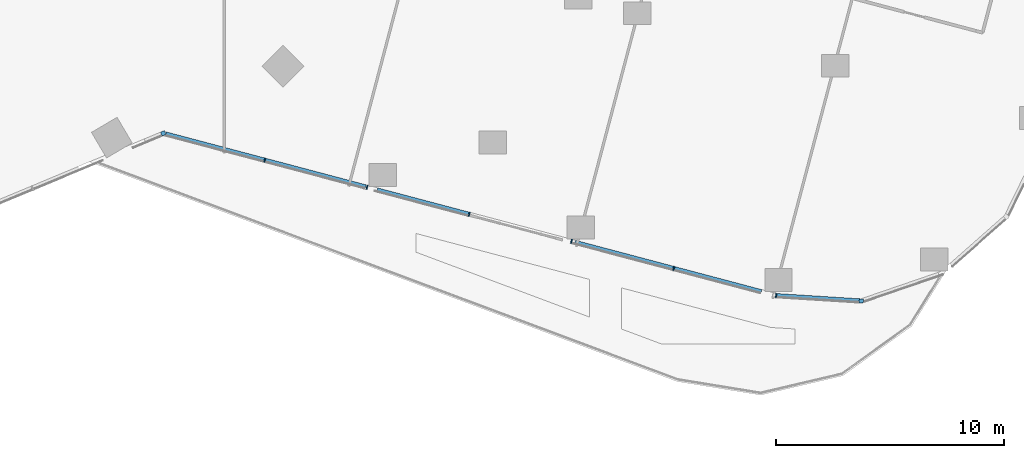
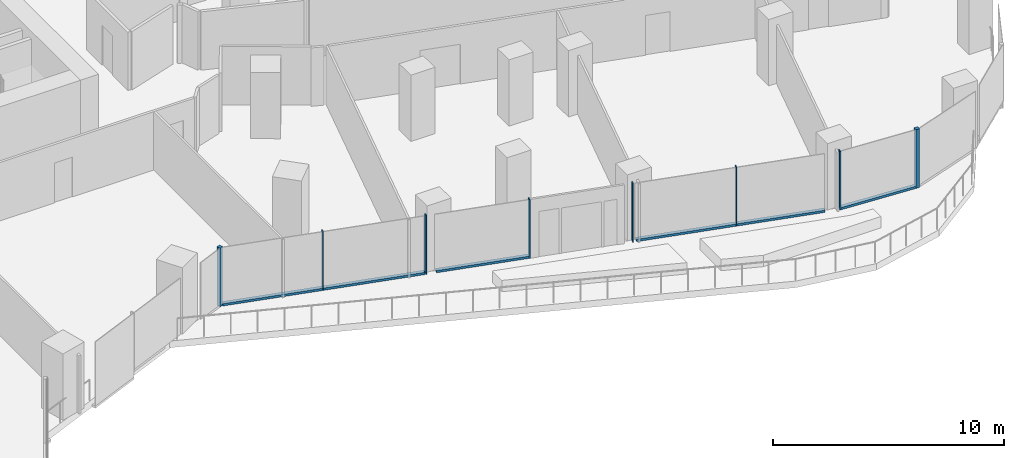
# One storey, part 7 of 34: 12 members, 3 elements without a shape of their own.
"""IFC4 building model written with IfcOpenShell, lengths in metres."""

from ifc_helpers import new_model, si_unit, direction, frame, origin, origin_2d, place, context, subcontext, project, spatial, rectangle, extrude, material, material_profile, profile_set, type_object, element, aggregate, save


model = new_model("IFC4")

# Units and contexts
model_context = context("Model", 3, precision=1e-05, world=origin(), true_north=direction((0.0, 1.0)))
body_context = subcontext(model_context, "Body", "Model", "MODEL_VIEW")
ifc_project = project(units=[si_unit("LENGTHUNIT", "METRE"), si_unit("AREAUNIT", "SQUARE_METRE"), si_unit("VOLUMEUNIT", "CUBIC_METRE"), si_unit("PLANEANGLEUNIT", "RADIAN"), si_unit("MASSUNIT", "GRAM", prefix="KILO")], contexts=[model_context])

# Site, building, storey
site_placement = place(None, origin())
site = spatial("IfcSite", under=ifc_project, at=site_placement, CompositionType="ELEMENT")
building_placement = place(site_placement, origin())
building = spatial("IfcBuilding", under=site, at=building_placement, Name="Orlundy Tower", CompositionType="ELEMENT")
storey_placement = place(building_placement, frame((0.0, 0.0, 102.199951171875)))
storey = spatial("IfcBuildingStorey", under=building, at=storey_placement, Name="L25", CompositionType="ELEMENT", Elevation=102.199951171875)

# Curtain wall, member
ifc_material_1 = material(Name="Aluminium bronze anodised", Category="aluminium")
curtain_wall_type = type_object("IfcCurtainWallType", Name="CW1 wall", PredefinedType="NOTDEFINED", material=ifc_material_1)
curtain_wall_1_placement = place(storey_placement, origin())
curtain_wall_1 = element("IfcCurtainWall", 1, at=curtain_wall_1_placement, inside=storey, type_object=curtain_wall_type, Name="CW1 run 01", PredefinedType="NOTDEFINED")
ifc_material_2 = material(Name="Aluminium bronze anodised", Category="aluminium")
ifc_material_profile_1 = material_profile(ifc_material_2, rectangle(XDim=0.179931640625, YDim=0.179931640625, at=origin_2d()), Name="CW1 corner post 180x180")
ifc_profile_set_1 = profile_set([ifc_material_profile_1], Name="Aluminium bronze anodised")
member_type_1 = type_object("IfcMemberType", Name="CW1 corner post 180x180", PredefinedType="MULLION", material=ifc_profile_set_1)
member_1_placement = place(storey_placement, frame((17.32861328125, -25.371826171875, 0.0), z_axis=(0.0, 0.0, 1.0), x_axis=(0.385377262048, -0.922759105019, 0.0)))
member_1 = element("IfcMember", 2, at=member_1_placement, type_object=member_type_1, Name="CW1 mullion 7", PredefinedType="MULLION", context=body_context, shape_type="SweptSolid", body=[
    extrude(rectangle(XDim=0.179931640625, YDim=0.179931640625, at=origin_2d()), origin(), (0.0, 0.0, 1.0), 3.10009765625),
])
aggregate(curtain_wall_1, [member_1])

curtain_wall_2_placement = place(storey_placement, origin())
curtain_wall_2 = element("IfcCurtainWall", 3, at=curtain_wall_2_placement, inside=storey, type_object=curtain_wall_type, Name="CW1 run 027", PredefinedType="NOTDEFINED")
member_2_placement = place(storey_placement, frame((47.892333984375, -32.712890625, 0.0), z_axis=(0.0, 0.0, 1.0), x_axis=(-0.06257980311, -0.998039963249, 0.0)))
member_2 = element("IfcMember", 4, at=member_2_placement, type_object=member_type_1, Name="CW1 mullion 68", PredefinedType="MULLION", context=body_context, shape_type="SweptSolid", body=[
    extrude(rectangle(XDim=0.179931640625, YDim=0.179931640625, at=origin_2d()), origin(), (0.0, 0.0, 1.0), 3.10009765625),
])

# Curtain wall, members
curtain_wall_3_placement = place(storey_placement, origin())
curtain_wall_3 = element("IfcCurtainWall", 5, at=curtain_wall_3_placement, inside=storey, type_object=curtain_wall_type, Name="CW1 run 00", PredefinedType="NOTDEFINED")
ifc_material_3 = material(Name="Aluminium bronze anodised", Category="aluminium")
ifc_material_profile_2 = material_profile(ifc_material_3, rectangle(XDim=0.179931640625, YDim=0.050048828125, at=origin_2d()), Name="CW1 mullion 50x180")
ifc_profile_set_2 = profile_set([ifc_material_profile_2], Name="Aluminium bronze anodised")
member_type_2 = type_object("IfcMemberType", Name="CW1 mullion 50x180", PredefinedType="MULLION", material=ifc_profile_set_2)
member_3_placement = place(storey_placement, frame((44.16552734375, -32.479248046875, 0.0), z_axis=(0.0, 0.0, 1.0), x_axis=(-0.160065696582, -0.987106363457, 0.0)))
member_3 = element("IfcMember", 6, at=member_3_placement, type_object=member_type_2, Name="CW1 mullion 1", PredefinedType="MULLION", context=body_context, shape_type="SweptSolid", body=[
    extrude(rectangle(XDim=0.179931640625, YDim=0.050048828125, at=origin_2d()), origin(), (0.0, 0.0, 1.0), 3.10009765625),
])
member_4_placement = place(storey_placement, frame((39.6806640625, -31.29150390625, 0.0), z_axis=(0.0, 0.0, 1.0), x_axis=(-0.256011270968, -0.966673796654, 0.0)))
member_4 = element("IfcMember", 7, at=member_4_placement, type_object=member_type_2, Name="CW1 mullion 2", PredefinedType="MULLION", context=body_context, shape_type="SweptSolid", body=[
    extrude(rectangle(XDim=0.179931640625, YDim=0.050048828125, at=origin_2d()), origin(), (0.0, 0.0, 1.0), 3.10009765625),
])
member_5_placement = place(storey_placement, frame((35.204345703125, -30.10595703125, 0.0), z_axis=(0.0, 0.0, 1.0), x_axis=(-0.256011270968, -0.966673796654, 0.0)))
member_5 = element("IfcMember", 8, at=member_5_placement, type_object=member_type_2, Name="CW1 mullion 3", PredefinedType="MULLION", context=body_context, shape_type="SweptSolid", body=[
    extrude(rectangle(XDim=0.179931640625, YDim=0.050048828125, at=origin_2d()), origin(), (0.0, 0.0, 1.0), 3.10009765625),
])
member_6_placement = place(storey_placement, frame((30.72802734375, -28.92041015625, 0.0), z_axis=(0.0, 0.0, 1.0), x_axis=(-0.256011270968, -0.966673796654, 0.0)))
member_6 = element("IfcMember", 9, at=member_6_placement, type_object=member_type_2, Name="CW1 mullion 4", PredefinedType="MULLION", context=body_context, shape_type="SweptSolid", body=[
    extrude(rectangle(XDim=0.179931640625, YDim=0.050048828125, at=origin_2d()), origin(), (0.0, 0.0, 1.0), 3.10009765625),
])
member_7_placement = place(storey_placement, frame((26.251708984375, -27.735107421875, 0.0), z_axis=(0.0, 0.0, 1.0), x_axis=(-0.256011270968, -0.966673796654, 0.0)))
member_7 = element("IfcMember", 10, at=member_7_placement, type_object=member_type_2, Name="CW1 mullion 5", PredefinedType="MULLION", context=body_context, shape_type="SweptSolid", body=[
    extrude(rectangle(XDim=0.179931640625, YDim=0.050048828125, at=origin_2d()), origin(), (0.0, 0.0, 1.0), 3.10009765625),
])
member_8_placement = place(storey_placement, frame((21.775390625, -26.549560546875, 0.0), z_axis=(0.0, 0.0, 1.0), x_axis=(-0.256011270968, -0.966673796654, 0.0)))
member_8 = element("IfcMember", 11, at=member_8_placement, type_object=member_type_2, Name="CW1 mullion 6", PredefinedType="MULLION", context=body_context, shape_type="SweptSolid", body=[
    extrude(rectangle(XDim=0.179931640625, YDim=0.050048828125, at=origin_2d()), origin(), (0.0, 0.0, 1.0), 3.10009765625),
])
ifc_material_4 = material(Name="Aluminium bronze anodised", Category="aluminium")
ifc_material_profile_3 = material_profile(ifc_material_4, rectangle(XDim=0.179931640625, YDim=0.1201171875, at=origin_2d()), Name="CW1 transom 180x120")
ifc_profile_set_3 = profile_set([ifc_material_profile_3], Name="Aluminium bronze anodised")
member_type_3 = type_object("IfcMemberType", Name="CW1 transom 180x120", PredefinedType="USERDEFINED", material=ifc_profile_set_3)
member_9_placement = place(storey_placement, frame((43.51904296875, -32.30810546875, 0.06005859375), z_axis=(-0.966671340271, 0.256020545854, 0.0), x_axis=(-0.256020545854, -0.966671340271, 0.0)))
member_9 = element("IfcMember", 12, at=member_9_placement, type_object=member_type_3, Name="CW1 transom", ObjectType="TRANSOM", PredefinedType="USERDEFINED", context=body_context, shape_type="SweptSolid", body=[
    extrude(rectangle(XDim=0.179931640625, YDim=0.1201171875, at=origin_2d()), origin(), (0.0, 0.0, 1.0), 8.441162109375),
])
member_10_placement = place(storey_placement, frame((30.703857421875, -28.9140625, 0.06005859375), z_axis=(-0.966680818819, 0.255984754481, 0.0), x_axis=(-0.255984754481, -0.966680818819, 0.0)))
member_10 = element("IfcMember", 13, at=member_10_placement, type_object=member_type_3, Name="CW1 transom", ObjectType="TRANSOM", PredefinedType="USERDEFINED", context=body_context, shape_type="SweptSolid", body=[
    extrude(rectangle(XDim=0.179931640625, YDim=0.1201171875, at=origin_2d()), origin(), (0.0, 0.0, 1.0), 4.148681640625),
])
member_11_placement = place(storey_placement, frame((26.18408203125, -27.717041015625, 0.06005859375), z_axis=(-0.966675575207, 0.25600455523, 0.0), x_axis=(-0.25600455523, -0.966675575207, 0.0)))
member_11 = element("IfcMember", 14, at=member_11_placement, type_object=member_type_3, Name="CW1 transom", ObjectType="TRANSOM", PredefinedType="USERDEFINED", context=body_context, shape_type="SweptSolid", body=[
    extrude(rectangle(XDim=0.179931640625, YDim=0.1201171875, at=origin_2d()), origin(), (0.0, 0.0, 1.0), 9.04736328125),
])
aggregate(curtain_wall_3, [member_3, member_4, member_5, member_6, member_7, member_8, member_9, member_10, member_11])

# Member
member_12_placement = place(storey_placement, frame((47.802490234375, -32.707275390625, 0.06005859375), z_axis=(-0.998042590698, 0.062537885736, 0.0), x_axis=(-0.062537885736, -0.998042590698, 0.0)))
member_12 = element("IfcMember", 15, at=member_12_placement, type_object=member_type_3, Name="CW1 transom", ObjectType="TRANSOM", PredefinedType="USERDEFINED", context=body_context, shape_type="SweptSolid", body=[
    extrude(rectangle(XDim=0.179931640625, YDim=0.1201171875, at=origin_2d()), origin(), (0.0, 0.0, 1.0), 3.618896484375),
])

aggregate(curtain_wall_2, [member_2, member_12])

save(model, "model.ifc")
